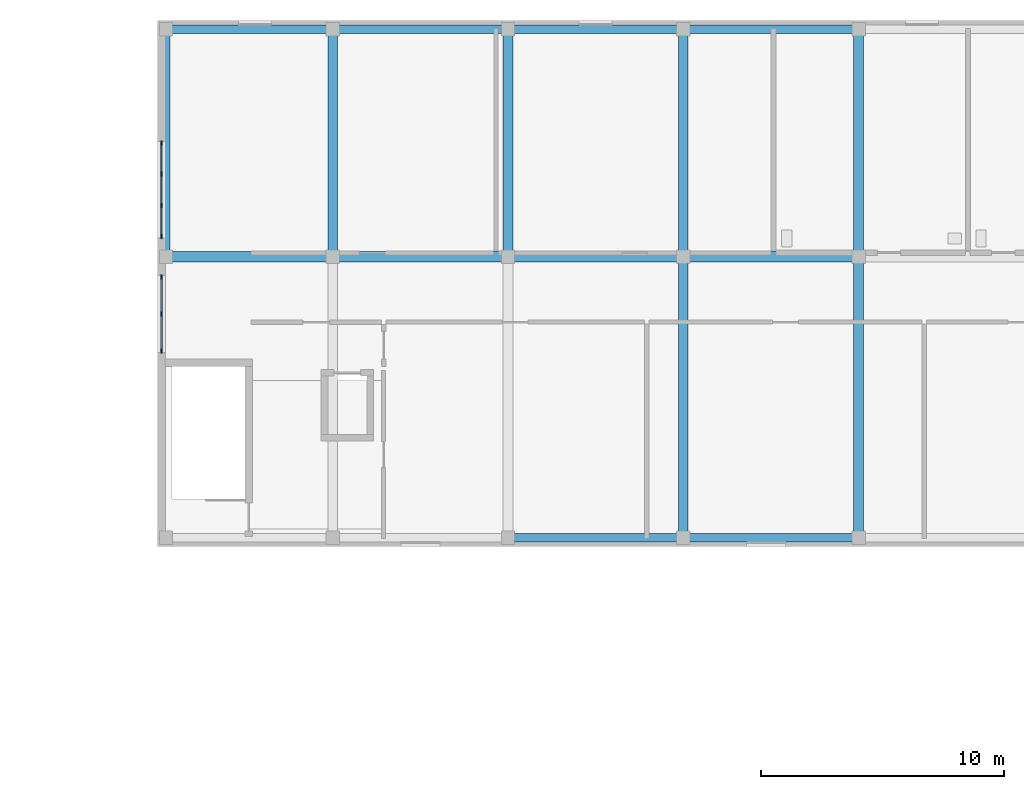
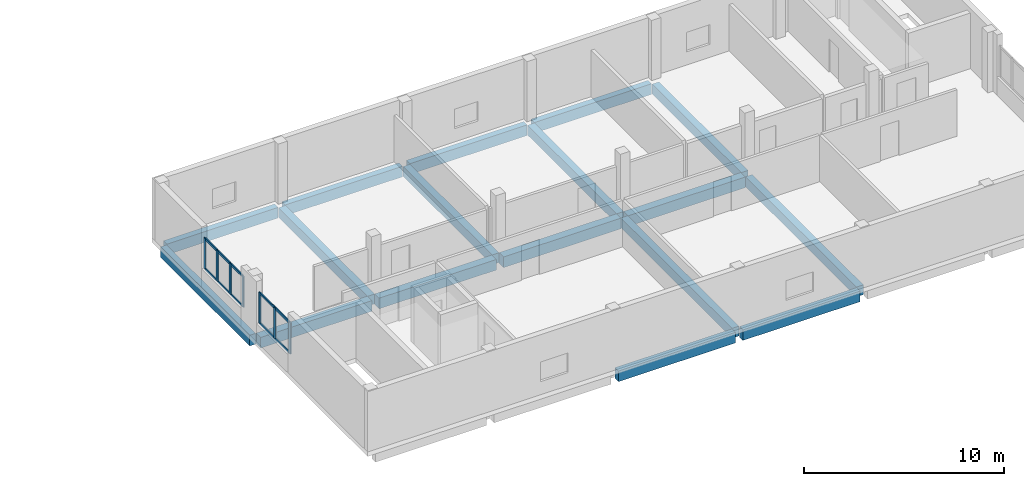
# One storey, part 20 of 73: 17 beams, 17 members, 2 elements without a shape of their own.
"""IFC4 building model written with IfcOpenShell, lengths in metres."""

from ifc_helpers import new_model, si_unit, derived_unit, direction, frame, origin, origin_2d, place, context, subcontext, project, spatial, rectangle, extrude, material, layer, layer_set, material_profile, profile_set, type_object, element, aggregate, save


model = new_model("IFC4")

# Units and contexts
model_context = context("Model", 3, precision=1e-05, world=origin(), true_north=direction((0.0, 1.0)))
body_context = subcontext(model_context, "Body", "Model", "MODEL_VIEW")
ifc_project = project(units=[si_unit("LENGTHUNIT", "METRE"), si_unit("AREAUNIT", "SQUARE_METRE"), si_unit("VOLUMEUNIT", "CUBIC_METRE"), si_unit("PLANEANGLEUNIT", "RADIAN"), si_unit("MASSUNIT", "GRAM", prefix="KILO"), derived_unit("THERMALTRANSMITTANCEUNIT", [(si_unit("MASSUNIT", "GRAM", prefix="KILO"), 1), (si_unit("TIMEUNIT", "SECOND"), -3), (si_unit("THERMODYNAMICTEMPERATUREUNIT", "KELVIN"), -1)])], contexts=[model_context])

# Site, building, storey
site_placement = place(None, origin())
site = spatial("IfcSite", under=ifc_project, at=site_placement, CompositionType="ELEMENT")
building_placement = place(site_placement, origin())
building = spatial("IfcBuilding", under=site, at=building_placement, Name="Ochrekiln Boulevard Commons", CompositionType="ELEMENT")
storey_placement = place(building_placement, frame((0.0, 0.0, 4.89990234375)))
storey = spatial("IfcBuildingStorey", under=building, at=storey_placement, Name="L01", CompositionType="ELEMENT", Elevation=4.89990234375)

# Beams
ifc_material_1 = material(Name="Concrete C35/45", Category="concrete")
ifc_material_profile_1 = material_profile(ifc_material_1, rectangle(XDim=0.39990234375, YDim=0.60009765625, at=origin_2d()), Name="RC-BM-400x600")
ifc_profile_set_1 = profile_set([ifc_material_profile_1], Name="Concrete C35/45")
beam_type_1 = type_object("IfcBeamType", Name="BM-RC-400x600", PredefinedType="BEAM", material=ifc_profile_set_1)
for number, where, z_axis, x_axis, name in (
    (1, (72.0, 109.31005859375, -0.56982421875), (0.0, 1.0, 0.0), (-1.0, 0.0, 0.0), "Nursery Pavilion L01 Beam B-4060 Y21"),
    (2, (79.199951171875, 109.31005859375, -0.56982421875), (0.0, 1.0, 0.0), (-1.0, 0.0, 0.0), "Nursery Pavilion L01 Beam B-4060 Y23"),
):
    element("IfcBeam", number, at=place(storey_placement, frame(where, z_axis=z_axis, x_axis=x_axis)), inside=storey, type_object=beam_type_1, Name=name, PredefinedType="BEAM", context=body_context, shape_type="SweptSolid", body=[
        extrude(rectangle(XDim=0.39990234375, YDim=0.60009765625, at=origin_2d()), origin(), (0.0, 0.0, 1.0), 8.929931640625),
    ])
beam_1_placement = place(storey_placement, frame((86.39990234375, 97.760009765625, -0.56982421875), z_axis=(0.0, 1.0, 0.0), x_axis=(-1.0, 0.0, 0.0)))
element("IfcBeam", 3, at=beam_1_placement, inside=storey, type_object=beam_type_1, Name="Nursery Pavilion L01 Beam B-4060 Y24", PredefinedType="BEAM", context=body_context, shape_type="SweptSolid", body=[
    extrude(rectangle(XDim=0.39990234375, YDim=0.60009765625, at=origin_2d()), origin(), (0.0, 0.0, 1.0), 11.1298828125),
])
beam_2_placement = place(storey_placement, frame((86.39990234375, 109.31005859375, -0.56982421875), z_axis=(0.0, 1.0, 0.0), x_axis=(-1.0, 0.0, 0.0)))
element("IfcBeam", 4, at=beam_2_placement, inside=storey, type_object=beam_type_1, Name="Nursery Pavilion L01 Beam B-4060 Y25", PredefinedType="BEAM", context=body_context, shape_type="SweptSolid", body=[
    extrude(rectangle(XDim=0.39990234375, YDim=0.60009765625, at=origin_2d()), origin(), (0.0, 0.0, 1.0), 8.929931640625),
])
beam_3_placement = place(storey_placement, frame((93.60009765625, 97.760009765625, -0.56982421875), z_axis=(0.0, 1.0, 0.0), x_axis=(-1.0, 0.0, 0.0)))
element("IfcBeam", 5, at=beam_3_placement, inside=storey, type_object=beam_type_1, Name="Nursery Pavilion L01 Beam B-4060 Y26", PredefinedType="BEAM", context=body_context, shape_type="SweptSolid", body=[
    extrude(rectangle(XDim=0.39990234375, YDim=0.60009765625, at=origin_2d()), origin(), (0.0, 0.0, 1.0), 11.1298828125),
])
beam_4_placement = place(storey_placement, frame((93.60009765625, 109.31005859375, -0.56982421875), z_axis=(0.0, 1.0, 0.0), x_axis=(-1.0, 0.0, 0.0)))
element("IfcBeam", 6, at=beam_4_placement, inside=storey, type_object=beam_type_1, Name="Nursery Pavilion L01 Beam B-4060 Y27", PredefinedType="BEAM", context=body_context, shape_type="SweptSolid", body=[
    extrude(rectangle(XDim=0.39990234375, YDim=0.60009765625, at=origin_2d()), origin(), (0.0, 0.0, 1.0), 8.929931640625),
])
ifc_material_profile_2 = material_profile(ifc_material_1, rectangle(XDim=0.449951171875, YDim=0.64990234375, at=origin_2d()), Name="RC-BM-450x650")
ifc_profile_set_2 = profile_set([ifc_material_profile_2], Name="Concrete C35/45")
beam_type_2 = type_object("IfcBeamType", Name="BM-RC-450x650", PredefinedType="BEAM", material=ifc_profile_set_2)
beam_5_placement = place(storey_placement, frame((65.360107421875, 109.10009765625, -0.594970703125), z_axis=(1.0, 0.0, 0.0), x_axis=(0.0, 1.0, 0.0)))
element("IfcBeam", 7, at=beam_5_placement, inside=storey, type_object=beam_type_2, Name="Nursery Pavilion L01 Beam B-4565 X7", PredefinedType="BEAM", context=body_context, shape_type="SweptSolid", body=[
    extrude(rectangle(XDim=0.449951171875, YDim=0.64990234375, at=origin_2d()), origin(), (0.0, 0.0, 1.0), 6.429931640625),
])
for number, where, z_axis, x_axis, name in (
    (8, (72.2099609375, 109.10009765625, -0.594970703125), (1.0, 0.0, 0.0), (0.0, 1.0, 0.0), "Nursery Pavilion L01 Beam B-4565 X8"),
    (9, (79.409912109375, 109.10009765625, -0.594970703125), (1.0, 0.0, 0.0), (0.0, 1.0, 0.0), "Nursery Pavilion L01 Beam B-4565 X9"),
):
    element("IfcBeam", number, at=place(storey_placement, frame(where, z_axis=z_axis, x_axis=x_axis)), inside=storey, type_object=beam_type_2, Name=name, PredefinedType="BEAM", context=body_context, shape_type="SweptSolid", body=[
        extrude(rectangle(XDim=0.449951171875, YDim=0.64990234375, at=origin_2d()), origin(), (0.0, 0.0, 1.0), 6.780029296875),
    ])
beam_6_placement = place(storey_placement, frame((86.610107421875, 109.10009765625, -0.594970703125), z_axis=(1.0, 0.0, 0.0), x_axis=(0.0, 1.0, 0.0)))
element("IfcBeam", 10, at=beam_6_placement, inside=storey, type_object=beam_type_2, Name="Nursery Pavilion L01 Beam B-4565 X10", PredefinedType="BEAM", context=body_context, shape_type="SweptSolid", body=[
    extrude(rectangle(XDim=0.449951171875, YDim=0.64990234375, at=origin_2d()), origin(), (0.0, 0.0, 1.0), 6.77978515625),
])

# Curtain wall, members
ifc_material_2 = material(Name="Bronze-anodized extruded aluminium 6063-T6", Category="aluminium")
ifc_layer = layer(ifc_material_2, 0.219970703125)
ifc_layer_set = layer_set([ifc_layer], Name="Bronze-anodized extruded aluminium 6063-T6")
curtain_wall_type = type_object("IfcCurtainWallType", Name="CW-NUR", PredefinedType="USERDEFINED", material=ifc_layer_set)
curtain_wall_1_placement = place(storey_placement, origin())
curtain_wall_1 = element("IfcCurtainWall", 11, at=curtain_wall_1_placement, inside=storey, type_object=curtain_wall_type, Name="Nursery L01 Garden End Curtain Wall W-1", ObjectType="GLAZED CURTAIN WALL", PredefinedType="USERDEFINED")
ifc_material_profile_3 = material_profile(ifc_material_2, rectangle(XDim=0.06494140625, YDim=0.179931640625, at=origin_2d()), Name="ALU-MUL-65x180")
ifc_profile_set_3 = profile_set([ifc_material_profile_3], Name="Bronze-anodized extruded aluminium 6063-T6")
member_type_1 = type_object("IfcMemberType", Name="CWM-65x180", PredefinedType="MULLION", material=ifc_profile_set_3)
member_1_placement = place(storey_placement, frame((64.9599609375, 105.232421875, 1.110107421875), z_axis=(0.0, 0.0, 1.0), x_axis=(-1.0, 0.0, 0.0)))
member_1 = element("IfcMember", 12, at=member_1_placement, type_object=member_type_1, Name="CW-05 mullion 1", PredefinedType="MULLION", context=body_context, shape_type="SweptSolid", body=[
    extrude(rectangle(XDim=0.06494140625, YDim=0.179931640625, at=origin_2d()), origin(), (0.0, 0.0, 1.0), 1.889892578125),
])
member_2_placement = place(storey_placement, frame((64.9599609375, 106.75, 1.110107421875), z_axis=(0.0, 0.0, 1.0), x_axis=(-1.0, 0.0, 0.0)))
member_2 = element("IfcMember", 13, at=member_2_placement, type_object=member_type_1, Name="CW-05 mullion 2", PredefinedType="MULLION", context=body_context, shape_type="SweptSolid", body=[
    extrude(rectangle(XDim=0.06494140625, YDim=0.179931640625, at=origin_2d()), origin(), (0.0, 0.0, 1.0), 1.889892578125),
])
member_3_placement = place(storey_placement, frame((64.9599609375, 108.267578125, 1.110107421875), z_axis=(0.0, 0.0, 1.0), x_axis=(-1.0, 0.0, 0.0)))
member_3 = element("IfcMember", 14, at=member_3_placement, type_object=member_type_1, Name="CW-05 mullion 3", PredefinedType="MULLION", context=body_context, shape_type="SweptSolid", body=[
    extrude(rectangle(XDim=0.06494140625, YDim=0.179931640625, at=origin_2d()), origin(), (0.0, 0.0, 1.0), 1.889892578125),
])

curtain_wall_2_placement = place(storey_placement, origin())
curtain_wall_2 = element("IfcCurtainWall", 15, at=curtain_wall_2_placement, inside=storey, type_object=curtain_wall_type, Name="Nursery L01 Garden End Curtain Wall W-2", ObjectType="GLAZED CURTAIN WALL", PredefinedType="USERDEFINED")
member_4_placement = place(storey_placement, frame((64.9599609375, 109.9326171875, 1.110107421875), z_axis=(0.0, 0.0, 1.0), x_axis=(-1.0, 0.0, 0.0)))
member_4 = element("IfcMember", 16, at=member_4_placement, type_object=member_type_1, Name="CW-05 mullion 1", PredefinedType="MULLION", context=body_context, shape_type="SweptSolid", body=[
    extrude(rectangle(XDim=0.06494140625, YDim=0.179931640625, at=origin_2d()), origin(), (0.0, 0.0, 1.0), 1.889892578125),
])
member_5_placement = place(storey_placement, frame((64.9599609375, 111.199951171875, 1.110107421875), z_axis=(0.0, 0.0, 1.0), x_axis=(-1.0, 0.0, 0.0)))
member_5 = element("IfcMember", 17, at=member_5_placement, type_object=member_type_1, Name="CW-05 mullion 2", PredefinedType="MULLION", context=body_context, shape_type="SweptSolid", body=[
    extrude(rectangle(XDim=0.06494140625, YDim=0.179931640625, at=origin_2d()), origin(), (0.0, 0.0, 1.0), 1.889892578125),
])
member_6_placement = place(storey_placement, frame((64.9599609375, 112.5, 1.110107421875), z_axis=(0.0, 0.0, 1.0), x_axis=(-1.0, 0.0, 0.0)))
member_6 = element("IfcMember", 18, at=member_6_placement, type_object=member_type_1, Name="CW-05 mullion 3", PredefinedType="MULLION", context=body_context, shape_type="SweptSolid", body=[
    extrude(rectangle(XDim=0.06494140625, YDim=0.179931640625, at=origin_2d()), origin(), (0.0, 0.0, 1.0), 1.889892578125),
])
member_7_placement = place(storey_placement, frame((64.9599609375, 113.767578125, 1.110107421875), z_axis=(0.0, 0.0, 1.0), x_axis=(-1.0, 0.0, 0.0)))
member_7 = element("IfcMember", 19, at=member_7_placement, type_object=member_type_1, Name="CW-05 mullion 4", PredefinedType="MULLION", context=body_context, shape_type="SweptSolid", body=[
    extrude(rectangle(XDim=0.06494140625, YDim=0.179931640625, at=origin_2d()), origin(), (0.0, 0.0, 1.0), 1.889892578125),
])

# Member
ifc_material_profile_4 = material_profile(ifc_material_2, rectangle(XDim=0.06494140625, YDim=0.139892578125, at=origin_2d()), Name="ALU-TRN-65x140")
ifc_profile_set_4 = profile_set([ifc_material_profile_4], Name="Bronze-anodized extruded aluminium 6063-T6")
member_type_2 = type_object("IfcMemberType", Name="CWT-65x140", PredefinedType="USERDEFINED", material=ifc_profile_set_4)
member_8_placement = place(storey_placement, frame((64.9599609375, 105.264892578125, 1.142578125), z_axis=(0.0, 1.0, 0.0), x_axis=(-1.0, 0.0, 0.0)))
member_8 = element("IfcMember", 20, at=member_8_placement, type_object=member_type_2, Name="CW-05 transom 1.1", ObjectType="TRANSOM", PredefinedType="USERDEFINED", context=body_context, shape_type="SweptSolid", body=[
    extrude(rectangle(XDim=0.06494140625, YDim=0.139892578125, at=origin_2d()), origin(), (0.0, 0.0, 1.0), 1.45263671875),
])

member_9_placement = place(storey_placement, frame((64.9599609375, 105.264892578125, 2.967529296875), z_axis=(0.0, 1.0, 0.0), x_axis=(-1.0, 0.0, 0.0)))
member_9 = element("IfcMember", 21, at=member_9_placement, type_object=member_type_2, Name="CW-05 transom 1.2", ObjectType="TRANSOM", PredefinedType="USERDEFINED", context=body_context, shape_type="SweptSolid", body=[
    extrude(rectangle(XDim=0.06494140625, YDim=0.139892578125, at=origin_2d()), origin(), (0.0, 0.0, 1.0), 1.45263671875),
])

member_10_placement = place(storey_placement, frame((64.9599609375, 106.782470703125, 1.142578125), z_axis=(0.0, 1.0, 0.0), x_axis=(-1.0, 0.0, 0.0)))
member_10 = element("IfcMember", 22, at=member_10_placement, type_object=member_type_2, Name="CW-05 transom 2.1", ObjectType="TRANSOM", PredefinedType="USERDEFINED", context=body_context, shape_type="SweptSolid", body=[
    extrude(rectangle(XDim=0.06494140625, YDim=0.139892578125, at=origin_2d()), origin(), (0.0, 0.0, 1.0), 1.45263671875),
])

member_11_placement = place(storey_placement, frame((64.9599609375, 106.782470703125, 2.967529296875), z_axis=(0.0, 1.0, 0.0), x_axis=(-1.0, 0.0, 0.0)))
member_11 = element("IfcMember", 23, at=member_11_placement, type_object=member_type_2, Name="CW-05 transom 2.2", ObjectType="TRANSOM", PredefinedType="USERDEFINED", context=body_context, shape_type="SweptSolid", body=[
    extrude(rectangle(XDim=0.06494140625, YDim=0.139892578125, at=origin_2d()), origin(), (0.0, 0.0, 1.0), 1.45263671875),
])

aggregate(curtain_wall_1, [member_1, member_2, member_3, member_8, member_9, member_10, member_11])

member_12_placement = place(storey_placement, frame((64.9599609375, 109.965087890625, 1.142578125), z_axis=(0.0, 1.0, 0.0), x_axis=(-1.0, 0.0, 0.0)))
member_12 = element("IfcMember", 24, at=member_12_placement, type_object=member_type_2, Name="CW-05 transom 1.1", ObjectType="TRANSOM", PredefinedType="USERDEFINED", context=body_context, shape_type="SweptSolid", body=[
    extrude(rectangle(XDim=0.06494140625, YDim=0.139892578125, at=origin_2d()), origin(), (0.0, 0.0, 1.0), 1.202392578125),
])

member_13_placement = place(storey_placement, frame((64.9599609375, 109.965087890625, 2.967529296875), z_axis=(0.0, 1.0, 0.0), x_axis=(-1.0, 0.0, 0.0)))
member_13 = element("IfcMember", 25, at=member_13_placement, type_object=member_type_2, Name="CW-05 transom 1.2", ObjectType="TRANSOM", PredefinedType="USERDEFINED", context=body_context, shape_type="SweptSolid", body=[
    extrude(rectangle(XDim=0.06494140625, YDim=0.139892578125, at=origin_2d()), origin(), (0.0, 0.0, 1.0), 1.202392578125),
])

member_14_placement = place(storey_placement, frame((64.9599609375, 111.232421875, 1.142578125), z_axis=(0.0, 1.0, 0.0), x_axis=(-1.0, 0.0, 0.0)))
member_14 = element("IfcMember", 26, at=member_14_placement, type_object=member_type_2, Name="CW-05 transom 2.1", ObjectType="TRANSOM", PredefinedType="USERDEFINED", context=body_context, shape_type="SweptSolid", body=[
    extrude(rectangle(XDim=0.06494140625, YDim=0.139892578125, at=origin_2d()), origin(), (0.0, 0.0, 1.0), 1.235107421875),
])

member_15_placement = place(storey_placement, frame((64.9599609375, 111.232421875, 2.967529296875), z_axis=(0.0, 1.0, 0.0), x_axis=(-1.0, 0.0, 0.0)))
member_15 = element("IfcMember", 27, at=member_15_placement, type_object=member_type_2, Name="CW-05 transom 2.2", ObjectType="TRANSOM", PredefinedType="USERDEFINED", context=body_context, shape_type="SweptSolid", body=[
    extrude(rectangle(XDim=0.06494140625, YDim=0.139892578125, at=origin_2d()), origin(), (0.0, 0.0, 1.0), 1.235107421875),
])

member_16_placement = place(storey_placement, frame((64.9599609375, 112.532470703125, 1.142578125), z_axis=(0.0, 1.0, 0.0), x_axis=(-1.0, 0.0, 0.0)))
member_16 = element("IfcMember", 28, at=member_16_placement, type_object=member_type_2, Name="CW-05 transom 3.1", ObjectType="TRANSOM", PredefinedType="USERDEFINED", context=body_context, shape_type="SweptSolid", body=[
    extrude(rectangle(XDim=0.06494140625, YDim=0.139892578125, at=origin_2d()), origin(), (0.0, 0.0, 1.0), 1.20263671875),
])

member_17_placement = place(storey_placement, frame((64.9599609375, 112.532470703125, 2.967529296875), z_axis=(0.0, 1.0, 0.0), x_axis=(-1.0, 0.0, 0.0)))
member_17 = element("IfcMember", 29, at=member_17_placement, type_object=member_type_2, Name="CW-05 transom 3.2", ObjectType="TRANSOM", PredefinedType="USERDEFINED", context=body_context, shape_type="SweptSolid", body=[
    extrude(rectangle(XDim=0.06494140625, YDim=0.139892578125, at=origin_2d()), origin(), (0.0, 0.0, 1.0), 1.20263671875),
])

aggregate(curtain_wall_2, [member_4, member_5, member_6, member_7, member_12, member_13, member_14, member_15, member_16, member_17])

# Beams
ifc_material_3 = material(Name="Concrete C40/50", Category="concrete")
ifc_material_profile_5 = material_profile(ifc_material_3, rectangle(XDim=0.35009765625, YDim=0.64990234375, at=origin_2d()), Name="RC-SPN-350x650")
ifc_profile_set_5 = profile_set([ifc_material_profile_5], Name="Concrete C40/50")
beam_type_3 = type_object("IfcBeamType", Name="SPN-RC-350x650", PredefinedType="SPANDREL", material=ifc_profile_set_5)
beam_7_placement = place(storey_placement, frame((79.409912109375, 97.550048828125, -0.594970703125), z_axis=(1.0, 0.0, 0.0), x_axis=(0.0, 1.0, 0.0)))
element("IfcBeam", 30, at=beam_7_placement, inside=storey, type_object=beam_type_3, Name="Nursery Pavilion L01 Beam SP-3565 X3", PredefinedType="SPANDREL", context=body_context, shape_type="SweptSolid", body=[
    extrude(rectangle(XDim=0.35009765625, YDim=0.64990234375, at=origin_2d()), origin(), (0.0, 0.0, 1.0), 6.780029296875),
])
beam_8_placement = place(storey_placement, frame((86.610107421875, 97.550048828125, -0.594970703125), z_axis=(1.0, 0.0, 0.0), x_axis=(0.0, 1.0, 0.0)))
element("IfcBeam", 31, at=beam_8_placement, inside=storey, type_object=beam_type_3, Name="Nursery Pavilion L01 Beam SP-3565 X4", PredefinedType="SPANDREL", context=body_context, shape_type="SweptSolid", body=[
    extrude(rectangle(XDim=0.35009765625, YDim=0.64990234375, at=origin_2d()), origin(), (0.0, 0.0, 1.0), 6.77978515625),
])
beam_9_placement = place(storey_placement, frame((65.360107421875, 118.449951171875, -0.594970703125), z_axis=(1.0, 0.0, 0.0), x_axis=(0.0, 1.0, 0.0)))
element("IfcBeam", 32, at=beam_9_placement, inside=storey, type_object=beam_type_3, Name="Nursery Pavilion L01 Beam SP-3565 X13", PredefinedType="SPANDREL", context=body_context, shape_type="SweptSolid", body=[
    extrude(rectangle(XDim=0.35009765625, YDim=0.64990234375, at=origin_2d()), origin(), (0.0, 0.0, 1.0), 6.429931640625),
])
for number, where, z_axis, x_axis, name in (
    (33, (72.2099609375, 118.449951171875, -0.594970703125), (1.0, 0.0, 0.0), (0.0, 1.0, 0.0), "Nursery Pavilion L01 Beam SP-3565 X14"),
    (34, (79.409912109375, 118.449951171875, -0.594970703125), (1.0, 0.0, 0.0), (0.0, 1.0, 0.0), "Nursery Pavilion L01 Beam SP-3565 X15"),
):
    element("IfcBeam", number, at=place(storey_placement, frame(where, z_axis=z_axis, x_axis=x_axis)), inside=storey, type_object=beam_type_3, Name=name, PredefinedType="SPANDREL", context=body_context, shape_type="SweptSolid", body=[
        extrude(rectangle(XDim=0.35009765625, YDim=0.64990234375, at=origin_2d()), origin(), (0.0, 0.0, 1.0), 6.780029296875),
    ])
beam_10_placement = place(storey_placement, frame((86.610107421875, 118.449951171875, -0.594970703125), z_axis=(1.0, 0.0, 0.0), x_axis=(0.0, 1.0, 0.0)))
element("IfcBeam", 35, at=beam_10_placement, inside=storey, type_object=beam_type_3, Name="Nursery Pavilion L01 Beam SP-3565 X16", PredefinedType="SPANDREL", context=body_context, shape_type="SweptSolid", body=[
    extrude(rectangle(XDim=0.35009765625, YDim=0.64990234375, at=origin_2d()), origin(), (0.0, 0.0, 1.0), 6.77978515625),
])
beam_11_placement = place(storey_placement, frame((65.14990234375, 109.31005859375, -0.594970703125), z_axis=(0.0, 1.0, 0.0), x_axis=(-1.0, 0.0, 0.0)))
element("IfcBeam", 36, at=beam_11_placement, inside=storey, type_object=beam_type_3, Name="Nursery Pavilion L01 Beam SP-3565 Y19", PredefinedType="SPANDREL", context=body_context, shape_type="SweptSolid", body=[
    extrude(rectangle(XDim=0.35009765625, YDim=0.64990234375, at=origin_2d()), origin(), (0.0, 0.0, 1.0), 8.929931640625),
])

save(model, "model.ifc")
